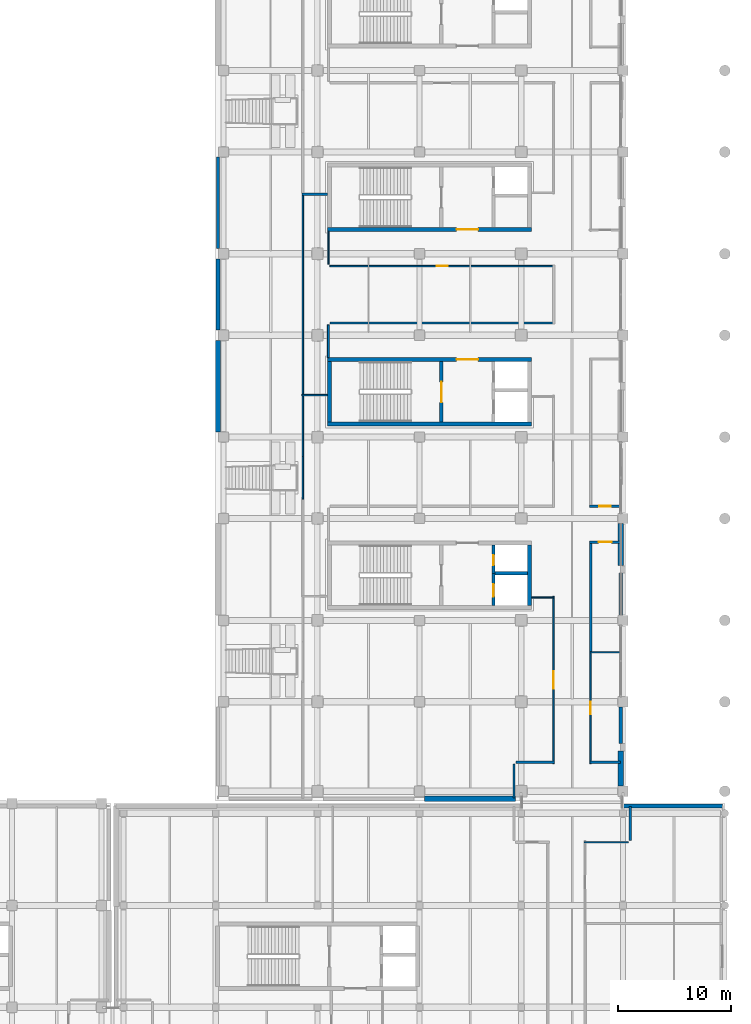
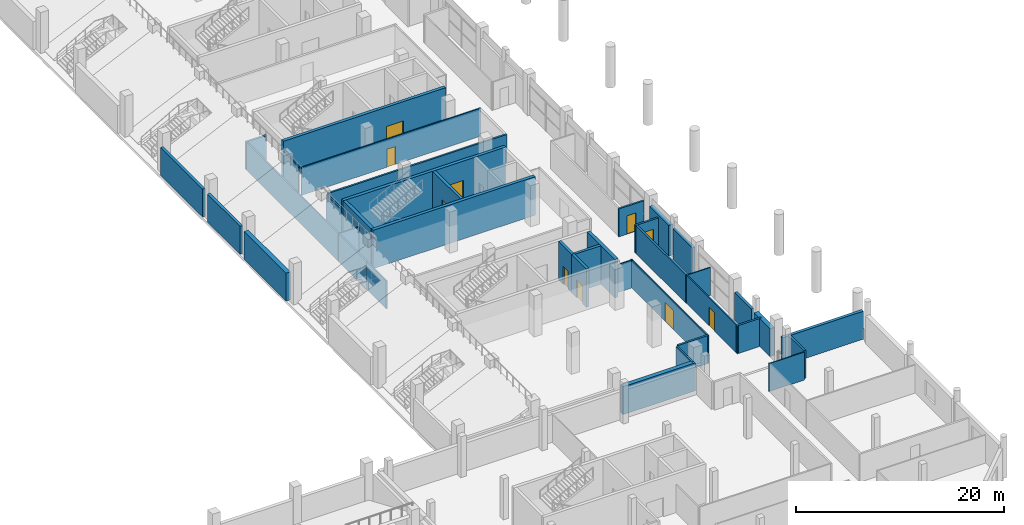
# One storey, part 63 of 100: 39 walls, 10 doors, 10 openings.
"""IFC4 building model written with IfcOpenShell, lengths in metres."""

from ifc_helpers import new_model, si_unit, direction, frame, frame_2d, origin, place, context, subcontext, project, spatial, rectangle, extrude, material, layer, layer_set, type_object, element, fill, save


model = new_model("IFC4")

# Units and contexts
model_context = context("Model", 3, precision=1e-05, world=origin(), true_north=direction((0.0, 1.0)))
body_context = subcontext(model_context, "Body", "Model", "MODEL_VIEW")
ifc_project = project(units=[si_unit("LENGTHUNIT", "METRE"), si_unit("AREAUNIT", "SQUARE_METRE"), si_unit("VOLUMEUNIT", "CUBIC_METRE"), si_unit("PLANEANGLEUNIT", "RADIAN"), si_unit("MASSUNIT", "GRAM", prefix="KILO"), si_unit("THERMODYNAMICTEMPERATUREUNIT", "KELVIN"), si_unit("POWERUNIT", "WATT")], contexts=[model_context])

# Site, building, storey
site_placement = place(None, origin())
site = spatial("IfcSite", under=ifc_project, at=site_placement, CompositionType="ELEMENT")
building_placement = place(site_placement, origin())
building = spatial("IfcBuilding", under=site, at=building_placement, Name="Sindhuravela Promenade Stadium", CompositionType="ELEMENT")
storey_placement = place(building_placement, frame((0.0, 0.0, 4.800048828125)))
storey = spatial("IfcBuildingStorey", under=building, at=storey_placement, Name="L01", CompositionType="ELEMENT", Elevation=4.800048828125)

# Walls
ifc_material_1 = material(Name="Terracotta clay brick masonry (15 MPa)", Category="masonry")
ifc_layer_1 = layer(ifc_material_1, 0.340087890625)
ifc_layer_set_1 = layer_set([ifc_layer_1], Name="Terracotta clay brick masonry (15 MPa)")
wall_type_1 = type_object("IfcWallType", Name="EX-WL-BRK340", PredefinedType="SOLIDWALL", material=ifc_layer_set_1)
wall_1_placement = place(storey_placement, frame((206.86669921875, 35.800048828125, 0.0), z_axis=(0.0, 0.0, 1.0), x_axis=(1.0, 0.0, 0.0)))
element("IfcWall", 1, at=wall_1_placement, inside=storey, type_object=wall_type_1, Name="Exterior masonry wall EW06 Pavilion SE L01", PredefinedType="SOLIDWALL", context=body_context, shape_type="SweptSolid", body=[
    extrude(rectangle(XDim=8.933349609375, YDim=0.340087890625, at=frame_2d((4.466796875, 0.0))), origin(), (0.0, 0.0, 1.0), 3.280029296875),
])
ifc_material_2 = material(Name="Dholpur sandstone ashlar (45 MPa)", Category="masonry")
ifc_layer_2 = layer(ifc_material_2, 0.2900390625)
ifc_layer_set_2 = layer_set([ifc_layer_2], Name="Dholpur sandstone ashlar (45 MPa)")
wall_type_2 = type_object("IfcWallType", Name="EX-WL-SND290", PredefinedType="SOLIDWALL", material=ifc_layer_set_2)
wall_2_placement = place(storey_placement, frame((171.199951171875, 85.054931640625, 0.0), z_axis=(0.0, 0.0, 1.0), x_axis=(0.0, 1.0, 0.0)))
element("IfcWall", 2, at=wall_2_placement, inside=storey, type_object=wall_type_2, Name="Exterior masonry wall EW10 EAST L01", PredefinedType="SOLIDWALL", context=body_context, shape_type="SweptSolid", body=[
    extrude(rectangle(XDim=8.090087890625, YDim=0.2900390625, at=frame_2d((4.044921875, 0.0))), origin(), (0.0, 0.0, 1.0), 3.280029296875),
])
wall_3_placement = place(storey_placement, frame((206.800048828125, 44.544921875, 0.0), z_axis=(0.0, 0.0, 1.0), x_axis=(0.0, -1.0, 0.0)))
element("IfcWall", 3, at=wall_3_placement, inside=storey, type_object=wall_type_2, Name="Exterior masonry wall EW10 EAST L01", PredefinedType="SOLIDWALL", context=body_context, shape_type="SweptSolid", body=[
    extrude(rectangle(XDim=3.21484375, YDim=0.2900390625, at=frame_2d((1.607421875, 0.0))), origin(), (0.0, 0.0, 1.0), 3.280029296875),
])
ifc_layer_3 = layer(ifc_material_2, 0.31005859375)
ifc_layer_set_3 = layer_set([ifc_layer_3], Name="Dholpur sandstone ashlar (45 MPa)")
wall_type_3 = type_object("IfcWallType", Name="EX-WL-SND310", PredefinedType="SOLIDWALL", material=ifc_layer_set_3)
wall_4_placement = place(storey_placement, frame((171.199951171875, 77.85498046875, 0.0), z_axis=(0.0, 0.0, 1.0), x_axis=(0.0, 1.0, 0.0)))
element("IfcWall", 4, at=wall_4_placement, inside=storey, type_object=wall_type_3, Name="Exterior masonry wall EW09 EAST L01", PredefinedType="SOLIDWALL", context=body_context, shape_type="SweptSolid", body=[
    extrude(rectangle(XDim=6.2900390625, YDim=0.31005859375, at=frame_2d((3.14501953125, 0.0))), origin(), (0.0, 0.0, 1.0), 3.280029296875),
])
wall_5_placement = place(storey_placement, frame((206.800048828125, 56.3701171875, 0.0), z_axis=(0.0, 0.0, 1.0), x_axis=(0.0, -1.0, 0.0)))
element("IfcWall", 5, at=wall_5_placement, inside=storey, type_object=wall_type_3, Name="Exterior masonry wall EW09 EAST L01", PredefinedType="SOLIDWALL", context=body_context, shape_type="SweptSolid", body=[
    extrude(rectangle(XDim=3.715087890625, YDim=0.31005859375, at=frame_2d((1.857421875, 0.0))), origin(), (0.0, 0.0, 1.0), 3.579833984375),
])
ifc_layer_4 = layer(ifc_material_2, 0.47998046875)
ifc_layer_set_4 = layer_set([ifc_layer_4], Name="Dholpur sandstone ashlar (45 MPa)")
wall_type_4 = type_object("IfcWallType", Name="EX-WL-SND480", PredefinedType="SOLIDWALL", material=ifc_layer_set_4)
wall_6_placement = place(storey_placement, frame((171.199951171875, 68.85498046875, 0.0), z_axis=(0.0, 0.0, 1.0), x_axis=(0.0, 1.0, 0.0)))
element("IfcWall", 6, at=wall_6_placement, inside=storey, type_object=wall_type_4, Name="Exterior masonry wall EW08 EAST L01", PredefinedType="SOLIDWALL", context=body_context, shape_type="SweptSolid", body=[
    extrude(rectangle(XDim=8.090087890625, YDim=0.47998046875, at=frame_2d((4.044921875, 0.0))), origin(), (0.0, 0.0, 1.0), 3.280029296875),
])
wall_7_placement = place(storey_placement, frame((206.800048828125, 60.7451171875, 0.0), z_axis=(0.0, 0.0, 1.0), x_axis=(0.0, -1.0, 0.0)))
element("IfcWall", 7, at=wall_7_placement, inside=storey, type_object=wall_type_4, Name="Exterior masonry wall EW08 EAST L01", PredefinedType="SOLIDWALL", context=body_context, shape_type="SweptSolid", body=[
    extrude(rectangle(XDim=3.715087890625, YDim=0.47998046875, at=frame_2d((1.857421875, 0.0))), origin(), (0.0, 0.0, 1.0), 3.579833984375),
])
wall_8_placement = place(storey_placement, frame((197.4951171875, 36.449951171875, 0.0), z_axis=(0.0, 0.0, 1.0), x_axis=(-1.0, 0.0, 0.0)))
element("IfcWall", 8, at=wall_8_placement, inside=storey, type_object=wall_type_4, Name="Exterior masonry wall EW08 EAST L01", PredefinedType="SOLIDWALL", context=body_context, shape_type="SweptSolid", body=[
    extrude(rectangle(XDim=8.0400390625, YDim=0.47998046875, at=frame_2d((4.02001953125, 0.0))), origin(), (0.0, 0.0, 1.0), 3.280029296875),
])
ifc_layer_5 = layer(ifc_material_2, 0.5)
ifc_layer_set_5 = layer_set([ifc_layer_5], Name="Dholpur sandstone ashlar (45 MPa)")
wall_type_5 = type_object("IfcWallType", Name="EX-WL-SND500", PredefinedType="SOLIDWALL", material=ifc_layer_set_5)
wall_9_placement = place(storey_placement, frame((206.800048828125, 40.669921875, 0.0), z_axis=(0.0, 0.0, 1.0), x_axis=(0.0, -1.0, 0.0)))
element("IfcWall", 9, at=wall_9_placement, inside=storey, type_object=wall_type_5, Name="Exterior masonry wall EW07 EAST L01", PredefinedType="SOLIDWALL", context=body_context, shape_type="SweptSolid", body=[
    extrude(rectangle(XDim=3.114990234375, YDim=0.5, at=frame_2d((1.5576171875, 0.0))), origin(), (0.0, 0.0, 1.0), 3.280029296875),
])
ifc_material_3 = material(Name="Fire-rated gypsum partition board", Category="gypsum")
ifc_layer_6 = layer(ifc_material_3, 0.110107421875)
ifc_layer_set_6 = layer_set([ifc_layer_6], Name="Fire-rated gypsum partition board")
wall_type_6 = type_object("IfcWallType", Name="IN-WL-PAR110", PredefinedType="PARTITIONING", material=ifc_layer_set_6)
wall_10_placement = place(storey_placement, frame((198.927001953125, 54.221923828125, 0.0), z_axis=(0.0, 0.0, 1.0), x_axis=(1.0, 0.0, 0.0)))
element("IfcWall", 10, at=wall_10_placement, inside=storey, type_object=wall_type_6, Name="Interior partition IW06 EAST L01", PredefinedType="PARTITIONING", context=body_context, shape_type="SweptSolid", body=[
    extrude(rectangle(XDim=2.012939453125, YDim=0.110107421875, at=frame_2d((1.00634765625, 0.0))), origin(), (0.0, 0.0, 1.0), 3.280029296875),
])
wall_11_placement = place(storey_placement, frame((180.9599609375, 86.572998046875, 0.0), z_axis=(0.0, 0.0, 1.0), x_axis=(0.0, -1.0, 0.0)))
element("IfcWall", 11, at=wall_11_placement, inside=storey, type_object=wall_type_6, Name="Interior partition IW06 EAST L01", PredefinedType="PARTITIONING", context=body_context, shape_type="SweptSolid", body=[
    extrude(rectangle(XDim=2.903076171875, YDim=0.110107421875, at=frame_2d((1.45166015625, 0.0))), origin(), (0.0, 0.0, 1.0), 3.280029296875),
])
wall_12_placement = place(storey_placement, frame((204.06005859375, 49.385009765625, 0.0), z_axis=(0.0, 0.0, 1.0), x_axis=(1.0, 0.0, 0.0)))
element("IfcWall", 12, at=wall_12_placement, inside=storey, type_object=wall_type_6, Name="Interior partition IW06 EAST L01", PredefinedType="PARTITIONING", context=body_context, shape_type="SweptSolid", body=[
    extrude(rectangle(XDim=2.70703125, YDim=0.110107421875, at=frame_2d((1.353515625, 0.0))), origin(), (0.0, 0.0, 1.0), 3.280029296875),
])
wall_13_placement = place(storey_placement, frame((203.56005859375, 32.590087890625, 0.0), z_axis=(0.0, 0.0, 1.0), x_axis=(1.0, 0.0, 0.0)))
element("IfcWall", 13, at=wall_13_placement, inside=storey, type_object=wall_type_6, Name="Interior partition IW06 Pavilion SE L01", PredefinedType="PARTITIONING", context=body_context, shape_type="SweptSolid", body=[
    extrude(rectangle(XDim=3.919921875, YDim=0.110107421875, at=frame_2d((1.9599609375, 0.0))), origin(), (0.0, 0.0, 1.0), 3.280029296875),
])

# Wall, opening, door
ifc_layer_7 = layer(ifc_material_3, 0.1298828125)
ifc_layer_set_7 = layer_set([ifc_layer_7], Name="Fire-rated gypsum partition board")
wall_type_7 = type_object("IfcWallType", Name="IN-WL-PAR130", PredefinedType="PARTITIONING", material=ifc_layer_set_7)
wall_14_placement = place(storey_placement, frame((200.860107421875, 39.5400390625, 0.0), z_axis=(0.0, 0.0, 1.0), x_axis=(0.0, 1.0, 0.0)))
wall_14 = element("IfcWall", 14, at=wall_14_placement, inside=storey, type_object=wall_type_7, Name="Corridor partition IW05 Supporters Hall East", PredefinedType="PARTITIONING", context=body_context, shape_type="SweptSolid", body=[
    extrude(rectangle(XDim=14.802001953125, YDim=0.1298828125, at=frame_2d((7.40087890625, 0.0))), origin(), (0.0, 0.0, 1.0), 3.280029296875),
])
opening_1_placement = place(wall_14_placement, frame((6.6259765625, 0.0, 0.0)))
opening_1 = element("IfcOpeningElement", 15, at=opening_1_placement, cuts=wall_14, Name="Opening ID02", PredefinedType="OPENING", context=body_context, shape_type="SweptSolid", body=[
    extrude(rectangle(XDim=1.550048828125, YDim=2.199951171875, at=frame_2d((0.77490234375, 1.10009765625))), frame((0.0, 0.074951171875, 0.0), z_axis=(0.0, -1.0, 0.0), x_axis=(1.0, 0.0, 0.0)), (0.0, 0.0, 1.0), 0.14990234375),
])
ifc_material_4 = material(Name="Architectural teak timber leaf", Category="wood")
door_type_1 = type_object("IfcDoorType", Name="DR-INT-1550x2200", OperationType="DOUBLE_DOOR_SINGLE_SWING", PredefinedType="DOOR", material=ifc_material_4)
door_1_placement = place(opening_1_placement, origin())
door_1 = element("IfcDoor", 16, at=door_1_placement, inside=storey, type_object=door_type_1, Name="Supporters Hall East door", OperationType="DOUBLE_DOOR_SINGLE_SWING", OverallHeight=2.199951171875, OverallWidth=1.550048828125, PredefinedType="DOOR", context=body_context, shape_type="SweptSolid", body=[
    extrude(rectangle(XDim=1.550048828125, YDim=2.199951171875, at=frame_2d((0.77490234375, 1.10009765625))), frame((0.0, 0.02490234375, 0.0), z_axis=(0.0, -1.0, 0.0), x_axis=(1.0, 0.0, 0.0)), (0.0, 0.0, 1.0), 0.050048828125),
])
fill(opening_1, door_1)

# Wall
wall_15_placement = place(storey_placement, frame((178.6201171875, 72.114013671875, 0.0), z_axis=(0.0, 0.0, 1.0), x_axis=(1.0, 0.0, 0.0)))
element("IfcWall", 17, at=wall_15_placement, inside=storey, type_object=wall_type_7, Name="Interior partition IW05 EAST L01", PredefinedType="PARTITIONING", context=body_context, shape_type="SweptSolid", body=[
    extrude(rectangle(XDim=2.2529296875, YDim=0.1298828125, at=frame_2d((1.12646484375, 0.0))), origin(), (0.0, 0.0, 1.0), 3.280029296875),
])

# Wall, opening, door
wall_16_placement = place(storey_placement, frame((200.97998046875, 83.510009765625, 0.0), z_axis=(0.0, 0.0, 1.0), x_axis=(-1.0, 0.0, 0.0)))
wall_16 = element("IfcWall", 18, at=wall_16_placement, inside=storey, type_object=wall_type_7, Name="Corridor partition IW05 Museum Conservation Workshop", PredefinedType="PARTITIONING", context=body_context, shape_type="SweptSolid", body=[
    extrude(rectangle(XDim=19.89990234375, YDim=0.1298828125, at=frame_2d((9.949951171875, 0.0))), origin(), (0.0, 0.0, 1.0), 3.280029296875),
])
opening_2_placement = place(wall_16_placement, frame((9.47509765625, 0.0, 0.0)))
opening_2 = element("IfcOpeningElement", 19, at=opening_2_placement, cuts=wall_16, Name="Opening ID09", PredefinedType="OPENING", context=body_context, shape_type="SweptSolid", body=[
    extrude(rectangle(XDim=0.949951171875, YDim=2.10009765625, at=frame_2d((0.47509765625, 1.050048828125))), frame((0.0, 0.074951171875, 0.0), z_axis=(0.0, -1.0, 0.0), x_axis=(1.0, 0.0, 0.0)), (0.0, 0.0, 1.0), 0.14990234375),
])
door_type_2 = type_object("IfcDoorType", Name="DR-INT-950x2100", OperationType="NOTDEFINED", PredefinedType="DOOR", material=ifc_material_4)
door_2_placement = place(opening_2_placement, origin())
door_2 = element("IfcDoor", 20, at=door_2_placement, inside=storey, type_object=door_type_2, Name="Museum Conservation Workshop door", OperationType="SINGLE_SWING_RIGHT", OverallHeight=2.10009765625, OverallWidth=0.949951171875, PredefinedType="DOOR", context=body_context, shape_type="SweptSolid", body=[
    extrude(rectangle(XDim=0.949951171875, YDim=2.10009765625, at=frame_2d((0.47509765625, 1.050048828125))), frame((0.0, 0.02490234375, 0.0), z_axis=(0.0, -1.0, 0.0), x_axis=(1.0, 0.0, 0.0)), (0.0, 0.0, 1.0), 0.050048828125),
])
fill(opening_2, door_2)

wall_17_placement = place(storey_placement, frame((204.139892578125, 49.385009765625, 0.0), z_axis=(0.0, 0.0, 1.0), x_axis=(0.0, -1.0, 0.0)))
wall_17 = element("IfcWall", 21, at=wall_17_placement, inside=storey, type_object=wall_type_7, Name="Corridor partition IW05 Sports Museum Main Exhibition Hall 2", PredefinedType="PARTITIONING", context=body_context, shape_type="SweptSolid", body=[
    extrude(rectangle(XDim=9.844970703125, YDim=0.1298828125, at=frame_2d((4.92236328125, 0.0))), origin(), (0.0, 0.0, 1.0), 3.280029296875),
])
opening_3_placement = place(wall_17_placement, frame((4.382568359375, 0.0, 0.0)))
opening_3 = element("IfcOpeningElement", 22, at=opening_3_placement, cuts=wall_17, Name="Opening ID12", PredefinedType="OPENING", context=body_context, shape_type="SweptSolid", body=[
    extrude(rectangle(XDim=1.080078125, YDim=2.179931640625, at=frame_2d((0.5400390625, 1.08984375))), frame((0.0, 0.074951171875, 0.0), z_axis=(0.0, -1.0, 0.0), x_axis=(1.0, 0.0, 0.0)), (0.0, 0.0, 1.0), 0.14990234375),
])
door_type_3 = type_object("IfcDoorType", Name="DR-INT-1080x2180", OperationType="NOTDEFINED", PredefinedType="DOOR", material=ifc_material_4)
door_3_placement = place(opening_3_placement, origin())
door_3 = element("IfcDoor", 23, at=door_3_placement, inside=storey, type_object=door_type_3, Name="Sports Museum Main Exhibition Hall 2 door", OperationType="SINGLE_SWING_LEFT", OverallHeight=2.179931640625, OverallWidth=1.080078125, PredefinedType="DOOR", context=body_context, shape_type="SweptSolid", body=[
    extrude(rectangle(XDim=1.080078125, YDim=2.179931640625, at=frame_2d((0.5400390625, 1.08984375))), frame((0.0, 0.02490234375, 0.0), z_axis=(0.0, -1.0, 0.0), x_axis=(1.0, 0.0, 0.0)), (0.0, 0.0, 1.0), 0.050048828125),
])
fill(opening_3, door_3)

# Walls
ifc_layer_8 = layer(ifc_material_3, 0.14990234375)
ifc_layer_set_8 = layer_set([ifc_layer_8], Name="Fire-rated gypsum partition board")
wall_type_8 = type_object("IfcWallType", Name="IN-WL-PAR150", PredefinedType="PARTITIONING", material=ifc_layer_set_8)
wall_18_placement = place(storey_placement, frame((178.699951171875, 66.52001953125, 0.0), z_axis=(0.0, 0.0, 1.0), x_axis=(0.0, 1.0, 0.0)))
element("IfcWall", 24, at=wall_18_placement, inside=storey, type_object=wall_type_8, Name="Interior partition IW04 EAST L01", PredefinedType="PARTITIONING", context=body_context, shape_type="SweptSolid", body=[
    extrude(rectangle(XDim=5.553955078125, YDim=0.14990234375, at=frame_2d((2.77685546875, 0.0))), origin(), (0.0, 0.0, 1.0), 3.280029296875),
])
wall_19_placement = place(storey_placement, frame((178.699951171875, 62.919921875, 0.0), z_axis=(0.0, 0.0, 1.0), x_axis=(0.0, 1.0, 0.0)))
element("IfcWall", 25, at=wall_19_placement, inside=storey, type_object=wall_type_8, Name="Interior partition IW04 EAST L01", PredefinedType="PARTITIONING", context=body_context, shape_type="SweptSolid", body=[
    extrude(rectangle(XDim=3.760009765625, YDim=0.14990234375, at=frame_2d((1.8798828125, 0.0))), origin(), (0.0, 0.0, 1.0), 3.280029296875),
])
wall_20_placement = place(storey_placement, frame((178.699951171875, 72.154052734375, 0.0), z_axis=(0.0, 0.0, 1.0), x_axis=(0.0, 1.0, 0.0)))
element("IfcWall", 26, at=wall_20_placement, inside=storey, type_object=wall_type_8, Name="Interior partition IW04 EAST L01", PredefinedType="PARTITIONING", context=body_context, shape_type="SweptSolid", body=[
    extrude(rectangle(XDim=17.69189453125, YDim=0.14990234375, at=frame_2d((8.845947265625, 0.0))), origin(), (0.0, 0.0, 1.0), 3.280029296875),
])
ifc_layer_9 = layer(ifc_material_3, 0.175048828125)
ifc_layer_set_9 = layer_set([ifc_layer_9], Name="Fire-rated gypsum partition board")
wall_type_9 = type_object("IfcWallType", Name="IN-WL-PAR175", PredefinedType="PARTITIONING", material=ifc_layer_set_9)
wall_21_placement = place(storey_placement, frame((180.9599609375, 78.330078125, 0.0), z_axis=(0.0, 0.0, 1.0), x_axis=(0.0, -1.0, 0.0)))
element("IfcWall", 27, at=wall_21_placement, inside=storey, type_object=wall_type_9, Name="Interior partition IW03 EAST L01", PredefinedType="PARTITIONING", context=body_context, shape_type="SweptSolid", body=[
    extrude(rectangle(XDim=2.903076171875, YDim=0.175048828125, at=frame_2d((1.45166015625, 0.0))), origin(), (0.0, 0.0, 1.0), 3.280029296875),
])
ifc_layer_10 = layer(ifc_material_3, 0.195068359375)
ifc_layer_set_10 = layer_set([ifc_layer_10], Name="Fire-rated gypsum partition board")
wall_type_10 = type_object("IfcWallType", Name="IN-WL-PAR195", PredefinedType="PARTITIONING", material=ifc_layer_set_10)
wall_22_placement = place(storey_placement, frame((197.360107421875, 39.5, 0.0), z_axis=(0.0, 0.0, 1.0), x_axis=(0.0, -1.0, 0.0)))
element("IfcWall", 28, at=wall_22_placement, inside=storey, type_object=wall_type_10, Name="Interior partition IW02 EAST L01", PredefinedType="PARTITIONING", context=body_context, shape_type="SweptSolid", body=[
    extrude(rectangle(XDim=3.010009765625, YDim=0.195068359375, at=frame_2d((1.5048828125, 0.0))), origin(), (0.0, 0.0, 1.0), 3.280029296875),
])
wall_23_placement = place(storey_placement, frame((200.93994140625, 78.489990234375, 0.0), z_axis=(0.0, 0.0, 1.0), x_axis=(-1.0, 0.0, 0.0)))
element("IfcWall", 29, at=wall_23_placement, inside=storey, type_object=wall_type_10, Name="Interior partition IW02 EAST L01", PredefinedType="PARTITIONING", context=body_context, shape_type="SweptSolid", body=[
    extrude(rectangle(XDim=19.81982421875, YDim=0.195068359375, at=frame_2d((9.909912109375, 0.0))), origin(), (0.0, 0.0, 1.0), 3.280029296875),
])

# Wall, opening, door
wall_24_placement = place(storey_placement, frame((204.02001953125, 62.2900390625, 0.0), z_axis=(0.0, 0.0, 1.0), x_axis=(1.0, 0.0, 0.0)))
wall_24 = element("IfcWall", 30, at=wall_24_placement, inside=storey, type_object=wall_type_10, Name="Corridor partition IW02 Public Toilet Block East L01", PredefinedType="PARTITIONING", context=body_context, shape_type="SweptSolid", body=[
    extrude(rectangle(XDim=2.780029296875, YDim=0.195068359375, at=frame_2d((1.39013671875, 0.0))), origin(), (0.0, 0.0, 1.0), 3.280029296875),
])
opening_4_placement = place(wall_24_placement, frame((0.8798828125, 0.0, 0.0)))
opening_4 = element("IfcOpeningElement", 31, at=opening_4_placement, cuts=wall_24, Name="Opening ID11", PredefinedType="OPENING", context=body_context, shape_type="SweptSolid", body=[
    extrude(rectangle(XDim=1.02001953125, YDim=2.159912109375, at=frame_2d((0.510009765625, 1.080078125))), frame((0.0, 0.107421875, 0.0), z_axis=(0.0, -1.0, 0.0), x_axis=(1.0, 0.0, 0.0)), (0.0, 0.0, 1.0), 0.215087890625),
])
door_type_4 = type_object("IfcDoorType", Name="DR-INT-1020x2160", OperationType="NOTDEFINED", PredefinedType="DOOR", material=ifc_material_4)
door_4_placement = place(opening_4_placement, origin())
door_4 = element("IfcDoor", 32, at=door_4_placement, inside=storey, type_object=door_type_4, Name="Public Toilet Block East L01 door", OperationType="SINGLE_SWING_RIGHT", OverallHeight=2.159912109375, OverallWidth=1.02001953125, PredefinedType="DOOR", context=body_context, shape_type="SweptSolid", body=[
    extrude(rectangle(XDim=1.02001953125, YDim=2.159912109375, at=frame_2d((0.510009765625, 1.080078125))), frame((0.0, 0.02490234375, 0.0), z_axis=(0.0, -1.0, 0.0), x_axis=(1.0, 0.0, 0.0)), (0.0, 0.0, 1.0), 0.050048828125),
])
fill(opening_4, door_4)

# Walls
wall_25_placement = place(storey_placement, frame((204.139892578125, 49.425048828125, 0.0), z_axis=(0.0, 0.0, 1.0), x_axis=(0.0, 1.0, 0.0)))
element("IfcWall", 33, at=wall_25_placement, inside=storey, type_object=wall_type_10, Name="Interior partition IW02 EAST L01", PredefinedType="PARTITIONING", context=body_context, shape_type="SweptSolid", body=[
    extrude(rectangle(XDim=9.764892578125, YDim=0.195068359375, at=frame_2d((4.88232421875, 0.0))), origin(), (0.0, 0.0, 1.0), 3.280029296875),
])
ifc_layer_11 = layer(ifc_material_3, 0.219970703125)
ifc_layer_set_11 = layer_set([ifc_layer_11], Name="Fire-rated gypsum partition board")
wall_type_11 = type_object("IfcWallType", Name="IN-WL-PAR220", PredefinedType="PARTITIONING", material=ifc_layer_set_11)
wall_26_placement = place(storey_placement, frame((200.93994140625, 39.659912109375, 0.0), z_axis=(0.0, 0.0, 1.0), x_axis=(-1.0, 0.0, 0.0)))
element("IfcWall", 34, at=wall_26_placement, inside=storey, type_object=wall_type_11, Name="Interior partition IW01 EAST L01", PredefinedType="PARTITIONING", context=body_context, shape_type="SweptSolid", body=[
    extrude(rectangle(XDim=3.419921875, YDim=0.219970703125, at=frame_2d((1.7099609375, 0.0))), origin(), (0.0, 0.0, 1.0), 3.280029296875),
])
wall_27_placement = place(storey_placement, frame((180.873046875, 89.885986328125, 0.0), z_axis=(0.0, 0.0, 1.0), x_axis=(-1.0, 0.0, 0.0)))
element("IfcWall", 35, at=wall_27_placement, inside=storey, type_object=wall_type_11, Name="Interior partition IW01 EAST L01", PredefinedType="PARTITIONING", context=body_context, shape_type="SweptSolid", body=[
    extrude(rectangle(XDim=2.2529296875, YDim=0.219970703125, at=frame_2d((1.12646484375, 0.0))), origin(), (0.0, 0.0, 1.0), 3.280029296875),
])
wall_28_placement = place(storey_placement, frame((206.760009765625, 39.659912109375, 0.0), z_axis=(0.0, 0.0, 1.0), x_axis=(-1.0, 0.0, 0.0)))
element("IfcWall", 36, at=wall_28_placement, inside=storey, type_object=wall_type_11, Name="Interior partition IW01 EAST L01", PredefinedType="PARTITIONING", context=body_context, shape_type="SweptSolid", body=[
    extrude(rectangle(XDim=2.699951171875, YDim=0.219970703125, at=frame_2d((1.35009765625, 0.0))), origin(), (0.0, 0.0, 1.0), 3.280029296875),
])

# Wall, opening, door
wall_29_placement = place(storey_placement, frame((206.800048828125, 59.110107421875, 0.0), z_axis=(0.0, 0.0, 1.0), x_axis=(-1.0, 0.0, 0.0)))
wall_29 = element("IfcWall", 37, at=wall_29_placement, inside=storey, type_object=wall_type_11, Name="Corridor partition IW01 Club Merchandise Gallery 5", PredefinedType="PARTITIONING", context=body_context, shape_type="SweptSolid", body=[
    extrude(rectangle(XDim=2.780029296875, YDim=0.219970703125, at=frame_2d((1.39013671875, 0.0))), origin(), (0.0, 0.0, 1.0), 3.280029296875),
])
opening_5_placement = place(wall_29_placement, frame((0.81494140625, 0.0, 0.0)))
opening_5 = element("IfcOpeningElement", 38, at=opening_5_placement, cuts=wall_29, Name="Opening ID05", PredefinedType="OPENING", context=body_context, shape_type="SweptSolid", body=[
    extrude(rectangle(XDim=1.14990234375, YDim=2.14990234375, at=frame_2d((0.574951171875, 1.074951171875))), frame((0.0, 0.119873046875, 0.0), z_axis=(0.0, -1.0, 0.0), x_axis=(1.0, 0.0, 0.0)), (0.0, 0.0, 1.0), 0.239990234375),
])
door_type_5 = type_object("IfcDoorType", Name="DR-INT-1150x2150", OperationType="NOTDEFINED", PredefinedType="DOOR", material=ifc_material_4)
door_5_placement = place(opening_5_placement, origin())
door_5 = element("IfcDoor", 39, at=door_5_placement, inside=storey, type_object=door_type_5, Name="Club Merchandise Gallery 5 door", OperationType="SINGLE_SWING_RIGHT", OverallHeight=2.14990234375, OverallWidth=1.14990234375, PredefinedType="DOOR", context=body_context, shape_type="SweptSolid", body=[
    extrude(rectangle(XDim=1.14990234375, YDim=2.14990234375, at=frame_2d((0.574951171875, 1.074951171875))), frame((0.0, 0.02490234375, 0.0), z_axis=(0.0, -1.0, 0.0), x_axis=(1.0, 0.0, 0.0)), (0.0, 0.0, 1.0), 0.050048828125),
])
fill(opening_5, door_5)

# Wall
wall_30_placement = place(storey_placement, frame((207.639892578125, 32.75, 0.0), z_axis=(0.0, 0.0, 1.0), x_axis=(0.0, 1.0, 0.0)))
element("IfcWall", 40, at=wall_30_placement, inside=storey, type_object=wall_type_11, Name="Interior partition IW01 Pavilion SE L01", PredefinedType="PARTITIONING", context=body_context, shape_type="SweptSolid", body=[
    extrude(rectangle(XDim=3.010009765625, YDim=0.219970703125, at=frame_2d((1.5048828125, 0.0))), origin(), (0.0, 0.0, 1.0), 3.280029296875),
])

# Wall, opening, door
ifc_material_5 = material(Name="Concrete M50", Category="concrete")
ifc_layer_12 = layer(ifc_material_5, 0.300048828125)
ifc_layer_set_12 = layer_set([ifc_layer_12], Name="Concrete M50")
wall_type_12 = type_object("IfcWallType", Name="RC-SW-300", PredefinedType="SHEAR", material=ifc_layer_set_12)
wall_31_placement = place(storey_placement, frame((195.550048828125, 53.52490234375, 0.0), z_axis=(0.0, 0.0, 1.0), x_axis=(0.0, 1.0, 0.0)))
wall_31 = element("IfcWall", 41, at=wall_31_placement, inside=storey, type_object=wall_type_12, Name="Core shear wall C05-LFT (L01)", PredefinedType="SHEAR", context=body_context, shape_type="SweptSolid", body=[
    extrude(rectangle(XDim=2.8251953125, YDim=0.300048828125, at=frame_2d((1.41259765625, 0.0))), origin(), (0.0, 0.0, 1.0), 4.52001953125),
])
opening_6_placement = place(wall_31_placement, frame((0.77490234375, 0.0, 0.0)))
opening_6 = element("IfcOpeningElement", 42, at=opening_6_placement, cuts=wall_31, Name="Opening LD", PredefinedType="OPENING", context=body_context, shape_type="SweptSolid", body=[
    extrude(rectangle(XDim=1.10009765625, YDim=2.10009765625, at=frame_2d((0.550048828125, 1.050048828125))), frame((0.0, 0.159912109375, 0.0), z_axis=(0.0, -1.0, 0.0), x_axis=(1.0, 0.0, 0.0)), (0.0, 0.0, 1.0), 0.320068359375),
])
ifc_material_6 = material(Name="Architectural wrought steel E350", Category="steel")
door_type_6 = type_object("IfcDoorType", Name="DR-LFT-1100x2100", OperationType="DOUBLE_DOOR_SLIDING", PredefinedType="DOOR", material=ifc_material_6)
door_6_placement = place(opening_6_placement, origin())
door_6 = element("IfcDoor", 43, at=door_6_placement, inside=storey, type_object=door_type_6, Name="Lift PL01 landing door (L01)", OperationType="DOUBLE_DOOR_SLIDING", OverallHeight=2.10009765625, OverallWidth=1.10009765625, PredefinedType="DOOR", context=body_context, shape_type="SweptSolid", body=[
    extrude(rectangle(XDim=1.10009765625, YDim=2.10009765625, at=frame_2d((0.550048828125, 1.050048828125))), frame((0.0, 0.02490234375, 0.0), z_axis=(0.0, -1.0, 0.0), x_axis=(1.0, 0.0, 0.0)), (0.0, 0.0, 1.0), 0.050048828125),
])
fill(opening_6, door_6)

wall_32_placement = place(storey_placement, frame((195.550048828125, 56.35009765625, 0.0), z_axis=(0.0, 0.0, 1.0), x_axis=(0.0, 1.0, 0.0)))
wall_32 = element("IfcWall", 44, at=wall_32_placement, inside=storey, type_object=wall_type_12, Name="Core shear wall C05-RSR (L01)", PredefinedType="SHEAR", context=body_context, shape_type="SweptSolid", body=[
    extrude(rectangle(XDim=2.52490234375, YDim=0.300048828125, at=frame_2d((1.262451171875, 0.0))), origin(), (0.0, 0.0, 1.0), 4.52001953125),
])
opening_7_placement = place(wall_32_placement, frame((0.72509765625, 0.0, 0.0)))
opening_7 = element("IfcOpeningElement", 45, at=opening_7_placement, cuts=wall_32, Name="Opening FD03", PredefinedType="OPENING", context=body_context, shape_type="SweptSolid", body=[
    extrude(rectangle(XDim=0.89990234375, YDim=2.10009765625, at=frame_2d((0.449951171875, 1.050048828125))), frame((0.0, 0.159912109375, 0.0), z_axis=(0.0, -1.0, 0.0), x_axis=(1.0, 0.0, 0.0)), (0.0, 0.0, 1.0), 0.320068359375),
])
door_type_7 = type_object("IfcDoorType", Name="DR-RSR-900x2100", OperationType="NOTDEFINED", PredefinedType="DOOR", material=ifc_material_6)
door_7_placement = place(opening_7_placement, origin())
door_7 = element("IfcDoor", 46, at=door_7_placement, inside=storey, type_object=door_type_7, Name="Riser shaft access door C05 (L01)", OperationType="SINGLE_SWING_RIGHT", OverallHeight=2.10009765625, OverallWidth=0.89990234375, PredefinedType="DOOR", context=body_context, shape_type="SweptSolid", body=[
    extrude(rectangle(XDim=0.89990234375, YDim=2.10009765625, at=frame_2d((0.449951171875, 1.050048828125))), frame((0.0, 0.02490234375, 0.0), z_axis=(0.0, -1.0, 0.0), x_axis=(1.0, 0.0, 0.0)), (0.0, 0.0, 1.0), 0.050048828125),
])
fill(opening_7, door_7)

# Wall
wall_33_placement = place(storey_placement, frame((195.699951171875, 56.35009765625, 0.0), z_axis=(0.0, 0.0, 1.0), x_axis=(1.0, 0.0, 0.0)))
element("IfcWall", 47, at=wall_33_placement, inside=storey, type_object=wall_type_12, Name="Core shear wall C05-DIV (L01)", PredefinedType="SHEAR", context=body_context, shape_type="SweptSolid", body=[
    extrude(rectangle(XDim=2.875, YDim=0.300048828125, at=frame_2d((1.4375, 0.0))), origin(), (0.0, 0.0, 1.0), 4.52001953125),
])

# Wall, opening, door
wall_34_placement = place(storey_placement, frame((190.949951171875, 69.72509765625, 0.0), z_axis=(0.0, 0.0, 1.0), x_axis=(0.0, 1.0, 0.0)))
wall_34 = element("IfcWall", 48, at=wall_34_placement, inside=storey, type_object=wall_type_12, Name="Core shear wall C06-ST (L01)", PredefinedType="SHEAR", context=body_context, shape_type="SweptSolid", body=[
    extrude(rectangle(XDim=5.349853515625, YDim=0.300048828125, at=frame_2d((2.6748046875, 0.0))), origin(), (0.0, 0.0, 1.0), 4.52001953125),
])
opening_8_placement = place(wall_34_placement, frame((1.75, 0.0, 0.0)))
opening_8 = element("IfcOpeningElement", 49, at=opening_8_placement, cuts=wall_34, Name="Opening FD01", PredefinedType="OPENING", context=body_context, shape_type="SweptSolid", body=[
    extrude(rectangle(XDim=1.800048828125, YDim=2.25, at=frame_2d((0.89990234375, 1.125))), frame((0.0, 0.159912109375, 0.0), z_axis=(0.0, -1.0, 0.0), x_axis=(1.0, 0.0, 0.0)), (0.0, 0.0, 1.0), 0.320068359375),
])
door_type_8 = type_object("IfcDoorType", Name="DR-CORE-1800x2250", OperationType="DOUBLE_DOOR_SINGLE_SWING", PredefinedType="DOOR", material=ifc_material_6)
door_8_placement = place(opening_8_placement, origin())
door_8 = element("IfcDoor", 50, at=door_8_placement, inside=storey, type_object=door_type_8, Name="Stair ST06 lobby fire door (L01)", OperationType="DOUBLE_DOOR_SINGLE_SWING", OverallHeight=2.25, OverallWidth=1.800048828125, PredefinedType="DOOR", context=body_context, shape_type="SweptSolid", body=[
    extrude(rectangle(XDim=1.800048828125, YDim=2.25, at=frame_2d((0.89990234375, 1.125))), frame((0.0, 0.02490234375, 0.0), z_axis=(0.0, -1.0, 0.0), x_axis=(1.0, 0.0, 0.0)), (0.0, 0.0, 1.0), 0.050048828125),
])
fill(opening_8, door_8)

# Walls
ifc_layer_13 = layer(ifc_material_5, 0.35009765625)
ifc_layer_set_13 = layer_set([ifc_layer_13], Name="Concrete M50")
wall_type_13 = type_object("IfcWallType", Name="RC-SW-350", PredefinedType="SHEAR", material=ifc_layer_set_13)
wall_35_placement = place(storey_placement, frame((198.75, 53.52490234375, 0.0), z_axis=(0.0, 0.0, 1.0), x_axis=(0.0, 1.0, 0.0)))
element("IfcWall", 51, at=wall_35_placement, inside=storey, type_object=wall_type_13, Name="Core shear wall C05-E (L01)", PredefinedType="SHEAR", context=body_context, shape_type="SweptSolid", body=[
    extrude(rectangle(XDim=5.35009765625, YDim=0.35009765625, at=frame_2d((2.675048828125, 0.0))), origin(), (0.0, 0.0, 1.0), 4.52001953125),
])
wall_36_placement = place(storey_placement, frame((180.89990234375, 69.550048828125, 0.0), z_axis=(0.0, 0.0, 1.0), x_axis=(1.0, 0.0, 0.0)))
element("IfcWall", 52, at=wall_36_placement, inside=storey, type_object=wall_type_13, Name="Core shear wall C06-S (L01)", PredefinedType="SHEAR", context=body_context, shape_type="SweptSolid", body=[
    extrude(rectangle(XDim=18.0, YDim=0.35009765625, at=frame_2d((9.0, 0.0))), origin(), (0.0, 0.0, 1.0), 4.52001953125),
])

# Wall, opening, door
wall_37_placement = place(storey_placement, frame((198.89990234375, 75.25, 0.0), z_axis=(0.0, 0.0, 1.0), x_axis=(-1.0, 0.0, 0.0)))
wall_37 = element("IfcWall", 53, at=wall_37_placement, inside=storey, type_object=wall_type_13, Name="Core shear wall C06-N (L01)", PredefinedType="SHEAR", context=body_context, shape_type="SweptSolid", body=[
    extrude(rectangle(XDim=18.0, YDim=0.35009765625, at=frame_2d((9.0, 0.0))), origin(), (0.0, 0.0, 1.0), 4.52001953125),
])
opening_9_placement = place(wall_37_placement, frame((4.699951171875, 0.0, 0.0)))
opening_9 = element("IfcOpeningElement", 54, at=opening_9_placement, cuts=wall_37, Name="Opening FD02", PredefinedType="OPENING", context=body_context, shape_type="SweptSolid", body=[
    extrude(rectangle(XDim=1.89990234375, YDim=2.25, at=frame_2d((0.949951171875, 1.125))), frame((0.0, 0.18505859375, 0.0), z_axis=(0.0, -1.0, 0.0), x_axis=(1.0, 0.0, 0.0)), (0.0, 0.0, 1.0), 0.3701171875),
])
door_type_9 = type_object("IfcDoorType", Name="DR-LOB-1900x2250", OperationType="DOUBLE_DOOR_SINGLE_SWING", PredefinedType="DOOR", material=ifc_material_6)
door_9_placement = place(opening_9_placement, origin())
door_9 = element("IfcDoor", 55, at=door_9_placement, inside=storey, type_object=door_type_9, Name="Protected lobby entrance door C06 (L01)", OperationType="DOUBLE_DOOR_SINGLE_SWING", OverallHeight=2.25, OverallWidth=1.89990234375, PredefinedType="DOOR", context=body_context, shape_type="SweptSolid", body=[
    extrude(rectangle(XDim=1.89990234375, YDim=2.25, at=frame_2d((0.949951171875, 1.125))), frame((0.0, 0.02490234375, 0.0), z_axis=(0.0, -1.0, 0.0), x_axis=(1.0, 0.0, 0.0)), (0.0, 0.0, 1.0), 0.050048828125),
])
fill(opening_9, door_9)

# Wall
wall_38_placement = place(storey_placement, frame((181.050048828125, 75.074951171875, 0.0), z_axis=(0.0, 0.0, 1.0), x_axis=(0.0, -1.0, 0.0)))
element("IfcWall", 56, at=wall_38_placement, inside=storey, type_object=wall_type_13, Name="Core shear wall C06-W (L01)", PredefinedType="SHEAR", context=body_context, shape_type="SweptSolid", body=[
    extrude(rectangle(XDim=5.349853515625, YDim=0.35009765625, at=frame_2d((2.6748046875, 0.0))), origin(), (0.0, 0.0, 1.0), 4.52001953125),
])

# Wall, opening, door
wall_39_placement = place(storey_placement, frame((180.89990234375, 86.75, 0.0), z_axis=(0.0, 0.0, 1.0), x_axis=(1.0, 0.0, 0.0)))
wall_39 = element("IfcWall", 57, at=wall_39_placement, inside=storey, type_object=wall_type_13, Name="Core shear wall C07-S (L01)", PredefinedType="SHEAR", context=body_context, shape_type="SweptSolid", body=[
    extrude(rectangle(XDim=18.0, YDim=0.35009765625, at=frame_2d((9.0, 0.0))), origin(), (0.0, 0.0, 1.0), 4.52001953125),
])
opening_10_placement = place(wall_39_placement, frame((11.39990234375, 0.0, 0.0)))
opening_10 = element("IfcOpeningElement", 58, at=opening_10_placement, cuts=wall_39, Name="Opening FD02", PredefinedType="OPENING", context=body_context, shape_type="SweptSolid", body=[
    extrude(rectangle(XDim=1.89990234375, YDim=2.25, at=frame_2d((0.949951171875, 1.125))), frame((0.0, 0.18505859375, 0.0), z_axis=(0.0, -1.0, 0.0), x_axis=(1.0, 0.0, 0.0)), (0.0, 0.0, 1.0), 0.3701171875),
])
door_10_placement = place(opening_10_placement, origin())
door_10 = element("IfcDoor", 59, at=door_10_placement, inside=storey, type_object=door_type_9, Name="Protected lobby entrance door C07 (L01)", OperationType="DOUBLE_DOOR_SINGLE_SWING", OverallHeight=2.25, OverallWidth=1.89990234375, PredefinedType="DOOR", context=body_context, shape_type="SweptSolid", body=[
    extrude(rectangle(XDim=1.89990234375, YDim=2.25, at=frame_2d((0.949951171875, 1.125))), frame((0.0, 0.02490234375, 0.0), z_axis=(0.0, -1.0, 0.0), x_axis=(1.0, 0.0, 0.0)), (0.0, 0.0, 1.0), 0.050048828125),
])
fill(opening_10, door_10)

save(model, "model.ifc")
